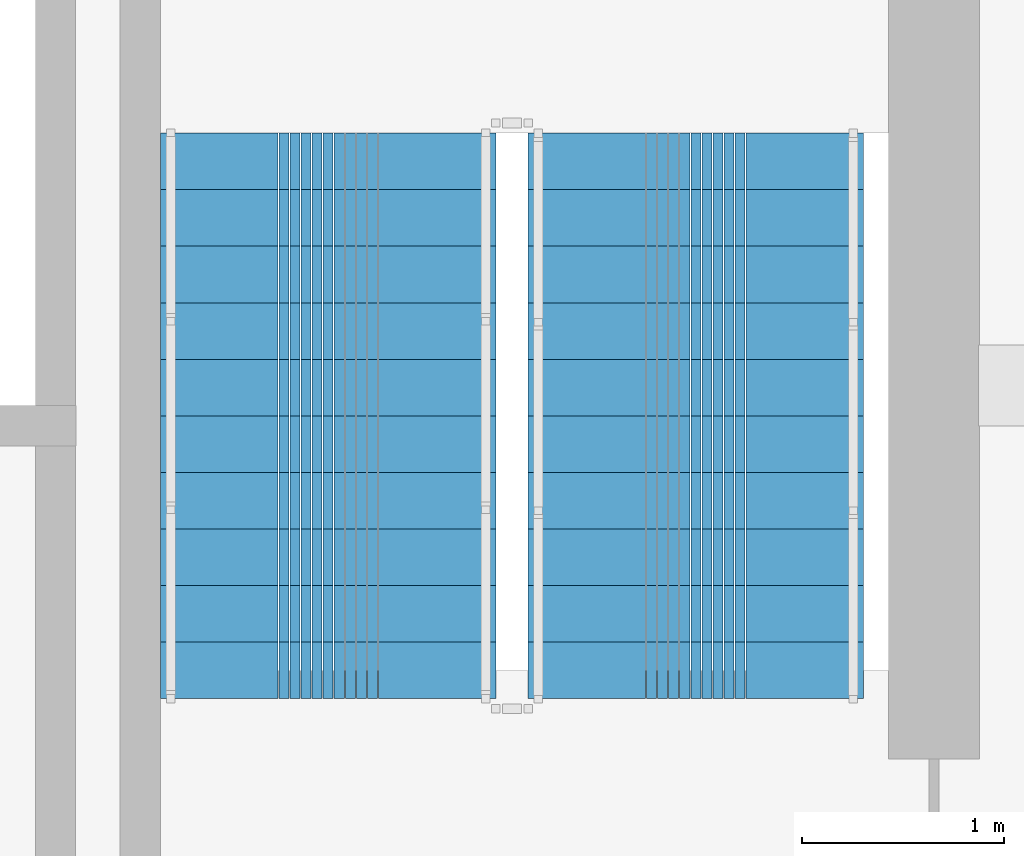
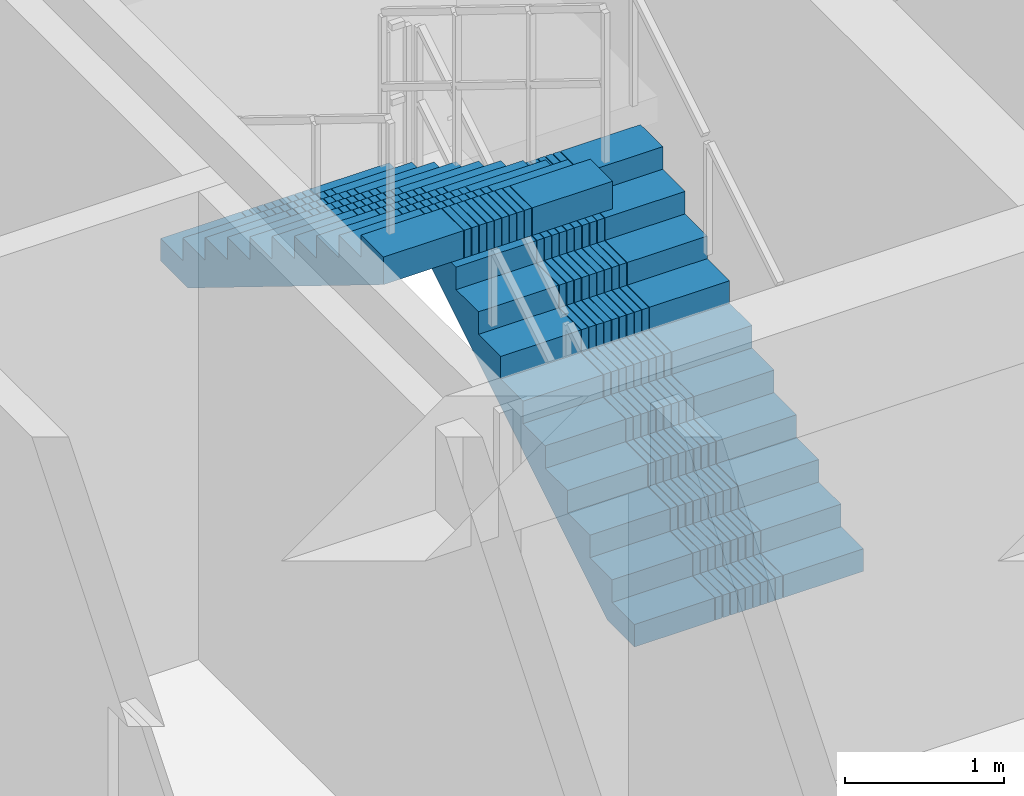
# One storey, part 23 of 25: 2 stair flights, 1 element without a shape of its own.
"""IFC4 building model written with IfcOpenShell, lengths in metres."""

from ifc_helpers import new_model, si_unit, direction, frame, origin, place, context, subcontext, project, spatial, polyline, outline, extrude, material, type_object, element, aggregate, save


model = new_model("IFC4")

# Units and contexts
model_context = context("Model", 3, precision=1e-05, world=origin(), true_north=direction((0.0, 1.0)))
body_context = subcontext(model_context, "Body", "Model", "MODEL_VIEW")
ifc_project = project(units=[si_unit("LENGTHUNIT", "METRE"), si_unit("AREAUNIT", "SQUARE_METRE"), si_unit("VOLUMEUNIT", "CUBIC_METRE"), si_unit("PLANEANGLEUNIT", "RADIAN"), si_unit("MASSUNIT", "GRAM", prefix="KILO")], contexts=[model_context])

# Site, building, storey
site_placement = place(None, origin())
site = spatial("IfcSite", under=ifc_project, at=site_placement, CompositionType="ELEMENT")
building_placement = place(site_placement, origin())
building = spatial("IfcBuilding", under=site, at=building_placement, Name="Saelheon Loggia Tower", CompositionType="ELEMENT")
storey_placement = place(building_placement, frame((0.0, 0.0, 206.5)))
storey = spatial("IfcBuildingStorey", under=building, at=storey_placement, Name="L64", CompositionType="ELEMENT", Elevation=206.5)

# Stair, stair flights
ifc_material = material(Name="Concrete C40/50", Category="concrete")
stair_type = type_object("IfcStairType", Name="Stair_Escape_Core", PredefinedType="HALF_TURN_STAIR", material=ifc_material)
stair_placement = place(storey_placement, origin())
stair = element("IfcStair", 1, at=stair_placement, inside=storey, type_object=stair_type, Name="L64 Special Escape Stair ST2", PredefinedType="HALF_TURN_STAIR")
stair_flight_type = type_object("IfcStairFlightType", Name="StairFlight_Tower_1660", PredefinedType="STRAIGHT", material=ifc_material)
stair_flight_1_placement = place(storey_placement, frame((43.320068359375, 30.449951171875, 0.0), z_axis=(0.0, 0.0, 1.0), x_axis=(0.0, 1.0, 0.0)))
stair_flight_1 = element("IfcStairFlight", 2, at=stair_flight_1_placement, type_object=stair_flight_type, Name="ST2 flight 1", NumberOfRisers=11, NumberOfTreads=10, PredefinedType="STRAIGHT", RiserHeight=0.172727273, TreadLength=0.28, context=body_context, shape_type="SweptSolid", body=[
    extrude(outline(polyline([(0.0, 0.0), (0.0, 0.172607421875), (0.280029296875, 0.172607421875), (0.280029296875, 0.345458984375), (0.56005859375, 0.345458984375), (0.56005859375, 0.51806640625), (0.840087890625, 0.51806640625), (0.840087890625, 0.69091796875), (1.1201171875, 0.69091796875), (1.1201171875, 0.863525390625), (1.39990234375, 0.863525390625), (1.39990234375, 1.036376953125), (1.679931640625, 1.036376953125), (1.679931640625, 1.208984375), (1.9599609375, 1.208984375), (1.9599609375, 1.3818359375), (2.239990234375, 1.3818359375), (2.239990234375, 1.554443359375), (2.52001953125, 1.554443359375), (2.52001953125, 1.727294921875), (2.800048828125, 1.727294921875), (2.800048828125, 1.89990234375), (2.800048828125, 1.515869140625), (0.3427734375, 0.0), (0.0, 0.0)])), frame((0.0, -0.2490234375, 0.0), z_axis=(0.0, -1.0, 0.0), x_axis=(1.0, 0.0, 0.0)), (0.0, 0.0, 1.0), 0.5810546875),
    extrude(outline(polyline([(0.0, 0.0), (0.0, 0.172607421875), (0.280029296875, 0.172607421875), (0.280029296875, 0.345458984375), (0.56005859375, 0.345458984375), (0.56005859375, 0.51806640625), (0.840087890625, 0.51806640625), (0.840087890625, 0.69091796875), (1.1201171875, 0.69091796875), (1.1201171875, 0.863525390625), (1.39990234375, 0.863525390625), (1.39990234375, 1.036376953125), (1.679931640625, 1.036376953125), (1.679931640625, 1.208984375), (1.9599609375, 1.208984375), (1.9599609375, 1.3818359375), (2.239990234375, 1.3818359375), (2.239990234375, 1.554443359375), (2.52001953125, 1.554443359375), (2.52001953125, 1.727294921875), (2.800048828125, 1.727294921875), (2.800048828125, 1.89990234375), (2.800048828125, 1.515869140625), (0.3427734375, 0.0), (0.0, 0.0)])), frame((0.0, -0.194091796875, 0.0), z_axis=(0.0, -1.0, 0.0), x_axis=(1.0, 0.0, 0.0)), (0.0, 0.0, 1.0), 0.0498046875),
    extrude(outline(polyline([(0.0, 0.0), (0.0, 0.172607421875), (0.280029296875, 0.172607421875), (0.280029296875, 0.345458984375), (0.56005859375, 0.345458984375), (0.56005859375, 0.51806640625), (0.840087890625, 0.51806640625), (0.840087890625, 0.69091796875), (1.1201171875, 0.69091796875), (1.1201171875, 0.863525390625), (1.39990234375, 0.863525390625), (1.39990234375, 1.036376953125), (1.679931640625, 1.036376953125), (1.679931640625, 1.208984375), (1.9599609375, 1.208984375), (1.9599609375, 1.3818359375), (2.239990234375, 1.3818359375), (2.239990234375, 1.554443359375), (2.52001953125, 1.554443359375), (2.52001953125, 1.727294921875), (2.800048828125, 1.727294921875), (2.800048828125, 1.89990234375), (2.800048828125, 1.515869140625), (0.3427734375, 0.0), (0.0, 0.0)])), frame((0.0, -0.139404296875, 0.0), z_axis=(0.0, -1.0, 0.0), x_axis=(1.0, 0.0, 0.0)), (0.0, 0.0, 1.0), 0.0498046875),
    extrude(outline(polyline([(0.0, 0.0), (0.0, 0.172607421875), (0.280029296875, 0.172607421875), (0.280029296875, 0.345458984375), (0.56005859375, 0.345458984375), (0.56005859375, 0.51806640625), (0.840087890625, 0.51806640625), (0.840087890625, 0.69091796875), (1.1201171875, 0.69091796875), (1.1201171875, 0.863525390625), (1.39990234375, 0.863525390625), (1.39990234375, 1.036376953125), (1.679931640625, 1.036376953125), (1.679931640625, 1.208984375), (1.9599609375, 1.208984375), (1.9599609375, 1.3818359375), (2.239990234375, 1.3818359375), (2.239990234375, 1.554443359375), (2.52001953125, 1.554443359375), (2.52001953125, 1.727294921875), (2.800048828125, 1.727294921875), (2.800048828125, 1.89990234375), (2.800048828125, 1.515869140625), (0.3427734375, 0.0), (0.0, 0.0)])), frame((0.0, -0.084716796875, 0.0), z_axis=(0.0, -1.0, 0.0), x_axis=(1.0, 0.0, 0.0)), (0.0, 0.0, 1.0), 0.0498046875),
    extrude(outline(polyline([(0.0, 0.0), (0.0, 0.172607421875), (0.280029296875, 0.172607421875), (0.280029296875, 0.345458984375), (0.56005859375, 0.345458984375), (0.56005859375, 0.51806640625), (0.840087890625, 0.51806640625), (0.840087890625, 0.69091796875), (1.1201171875, 0.69091796875), (1.1201171875, 0.863525390625), (1.39990234375, 0.863525390625), (1.39990234375, 1.036376953125), (1.679931640625, 1.036376953125), (1.679931640625, 1.208984375), (1.9599609375, 1.208984375), (1.9599609375, 1.3818359375), (2.239990234375, 1.3818359375), (2.239990234375, 1.554443359375), (2.52001953125, 1.554443359375), (2.52001953125, 1.727294921875), (2.800048828125, 1.727294921875), (2.800048828125, 1.89990234375), (2.800048828125, 1.515869140625), (0.3427734375, 0.0), (0.0, 0.0)])), frame((0.0, -0.02978515625, 0.0), z_axis=(0.0, -1.0, 0.0), x_axis=(1.0, 0.0, 0.0)), (0.0, 0.0, 1.0), 0.0498046875),
    extrude(outline(polyline([(0.0, 0.0), (0.0, 0.172607421875), (0.280029296875, 0.172607421875), (0.280029296875, 0.345458984375), (0.56005859375, 0.345458984375), (0.56005859375, 0.51806640625), (0.840087890625, 0.51806640625), (0.840087890625, 0.69091796875), (1.1201171875, 0.69091796875), (1.1201171875, 0.863525390625), (1.39990234375, 0.863525390625), (1.39990234375, 1.036376953125), (1.679931640625, 1.036376953125), (1.679931640625, 1.208984375), (1.9599609375, 1.208984375), (1.9599609375, 1.3818359375), (2.239990234375, 1.3818359375), (2.239990234375, 1.554443359375), (2.52001953125, 1.554443359375), (2.52001953125, 1.727294921875), (2.800048828125, 1.727294921875), (2.800048828125, 1.89990234375), (2.800048828125, 1.515869140625), (0.3427734375, 0.0), (0.0, 0.0)])), frame((0.0, 0.02490234375, 0.0), z_axis=(0.0, -1.0, 0.0), x_axis=(1.0, 0.0, 0.0)), (0.0, 0.0, 1.0), 0.0498046875),
    extrude(outline(polyline([(0.0, 0.0), (0.0, 0.172607421875), (0.280029296875, 0.172607421875), (0.280029296875, 0.345458984375), (0.56005859375, 0.345458984375), (0.56005859375, 0.51806640625), (0.840087890625, 0.51806640625), (0.840087890625, 0.69091796875), (1.1201171875, 0.69091796875), (1.1201171875, 0.863525390625), (1.39990234375, 0.863525390625), (1.39990234375, 1.036376953125), (1.679931640625, 1.036376953125), (1.679931640625, 1.208984375), (1.9599609375, 1.208984375), (1.9599609375, 1.3818359375), (2.239990234375, 1.3818359375), (2.239990234375, 1.554443359375), (2.52001953125, 1.554443359375), (2.52001953125, 1.727294921875), (2.800048828125, 1.727294921875), (2.800048828125, 1.89990234375), (2.800048828125, 1.515869140625), (0.3427734375, 0.0), (0.0, 0.0)])), frame((0.0, 0.07958984375, 0.0), z_axis=(0.0, -1.0, 0.0), x_axis=(1.0, 0.0, 0.0)), (0.0, 0.0, 1.0), 0.0498046875),
    extrude(outline(polyline([(0.0, 0.0), (0.0, 0.172607421875), (0.280029296875, 0.172607421875), (0.280029296875, 0.345458984375), (0.56005859375, 0.345458984375), (0.56005859375, 0.51806640625), (0.840087890625, 0.51806640625), (0.840087890625, 0.69091796875), (1.1201171875, 0.69091796875), (1.1201171875, 0.863525390625), (1.39990234375, 0.863525390625), (1.39990234375, 1.036376953125), (1.679931640625, 1.036376953125), (1.679931640625, 1.208984375), (1.9599609375, 1.208984375), (1.9599609375, 1.3818359375), (2.239990234375, 1.3818359375), (2.239990234375, 1.554443359375), (2.52001953125, 1.554443359375), (2.52001953125, 1.727294921875), (2.800048828125, 1.727294921875), (2.800048828125, 1.89990234375), (2.800048828125, 1.515869140625), (0.3427734375, 0.0), (0.0, 0.0)])), frame((0.0, 0.134521484375, 0.0), z_axis=(0.0, -1.0, 0.0), x_axis=(1.0, 0.0, 0.0)), (0.0, 0.0, 1.0), 0.0498046875),
    extrude(outline(polyline([(0.0, 0.0), (0.0, 0.172607421875), (0.280029296875, 0.172607421875), (0.280029296875, 0.345458984375), (0.56005859375, 0.345458984375), (0.56005859375, 0.51806640625), (0.840087890625, 0.51806640625), (0.840087890625, 0.69091796875), (1.1201171875, 0.69091796875), (1.1201171875, 0.863525390625), (1.39990234375, 0.863525390625), (1.39990234375, 1.036376953125), (1.679931640625, 1.036376953125), (1.679931640625, 1.208984375), (1.9599609375, 1.208984375), (1.9599609375, 1.3818359375), (2.239990234375, 1.3818359375), (2.239990234375, 1.554443359375), (2.52001953125, 1.554443359375), (2.52001953125, 1.727294921875), (2.800048828125, 1.727294921875), (2.800048828125, 1.89990234375), (2.800048828125, 1.515869140625), (0.3427734375, 0.0), (0.0, 0.0)])), frame((0.0, 0.189208984375, 0.0), z_axis=(0.0, -1.0, 0.0), x_axis=(1.0, 0.0, 0.0)), (0.0, 0.0, 1.0), 0.0498046875),
    extrude(outline(polyline([(0.0, 0.0), (0.0, 0.172607421875), (0.280029296875, 0.172607421875), (0.280029296875, 0.345458984375), (0.56005859375, 0.345458984375), (0.56005859375, 0.51806640625), (0.840087890625, 0.51806640625), (0.840087890625, 0.69091796875), (1.1201171875, 0.69091796875), (1.1201171875, 0.863525390625), (1.39990234375, 0.863525390625), (1.39990234375, 1.036376953125), (1.679931640625, 1.036376953125), (1.679931640625, 1.208984375), (1.9599609375, 1.208984375), (1.9599609375, 1.3818359375), (2.239990234375, 1.3818359375), (2.239990234375, 1.554443359375), (2.52001953125, 1.554443359375), (2.52001953125, 1.727294921875), (2.800048828125, 1.727294921875), (2.800048828125, 1.89990234375), (2.800048828125, 1.515869140625), (0.3427734375, 0.0), (0.0, 0.0)])), frame((0.0, 0.243896484375, 0.0), z_axis=(0.0, -1.0, 0.0), x_axis=(1.0, 0.0, 0.0)), (0.0, 0.0, 1.0), 0.0498046875),
    extrude(outline(polyline([(0.0, 0.0), (0.0, 0.172607421875), (0.280029296875, 0.172607421875), (0.280029296875, 0.345458984375), (0.56005859375, 0.345458984375), (0.56005859375, 0.51806640625), (0.840087890625, 0.51806640625), (0.840087890625, 0.69091796875), (1.1201171875, 0.69091796875), (1.1201171875, 0.863525390625), (1.39990234375, 0.863525390625), (1.39990234375, 1.036376953125), (1.679931640625, 1.036376953125), (1.679931640625, 1.208984375), (1.9599609375, 1.208984375), (1.9599609375, 1.3818359375), (2.239990234375, 1.3818359375), (2.239990234375, 1.554443359375), (2.52001953125, 1.554443359375), (2.52001953125, 1.727294921875), (2.800048828125, 1.727294921875), (2.800048828125, 1.89990234375), (2.800048828125, 1.515869140625), (0.3427734375, 0.0), (0.0, 0.0)])), frame((0.0, 0.830078125, 0.0), z_axis=(0.0, -1.0, 0.0), x_axis=(1.0, 0.0, 0.0)), (0.0, 0.0, 1.0), 0.5810546875),
])
stair_flight_2_placement = place(storey_placement, frame((41.5, 33.25, 1.89990234375), z_axis=(0.0, 0.0, 1.0), x_axis=(0.0, -1.0, 0.0)))
stair_flight_2 = element("IfcStairFlight", 3, at=stair_flight_2_placement, type_object=stair_flight_type, Name="ST2 flight 2", NumberOfRisers=11, NumberOfTreads=10, PredefinedType="STRAIGHT", RiserHeight=0.172727273, TreadLength=0.28, context=body_context, shape_type="SweptSolid", body=[
    extrude(outline(polyline([(0.0, 0.0), (0.0, 0.172607421875), (0.280029296875, 0.172607421875), (0.280029296875, 0.345458984375), (0.56005859375, 0.345458984375), (0.56005859375, 0.51806640625), (0.840087890625, 0.51806640625), (0.840087890625, 0.69091796875), (1.1201171875, 0.69091796875), (1.1201171875, 0.863525390625), (1.39990234375, 0.863525390625), (1.39990234375, 1.036376953125), (1.679931640625, 1.036376953125), (1.679931640625, 1.208984375), (1.9599609375, 1.208984375), (1.9599609375, 1.3818359375), (2.239990234375, 1.3818359375), (2.239990234375, 1.554443359375), (2.52001953125, 1.554443359375), (2.52001953125, 1.727294921875), (2.800048828125, 1.727294921875), (2.800048828125, 1.89990234375), (2.800048828125, 1.515869140625), (0.3427734375, 0.0), (0.0, 0.0)])), frame((0.0, -0.2490234375, 0.0), z_axis=(0.0, -1.0, 0.0), x_axis=(1.0, 0.0, 0.0)), (0.0, 0.0, 1.0), 0.5810546875),
    extrude(outline(polyline([(0.0, 0.0), (0.0, 0.172607421875), (0.280029296875, 0.172607421875), (0.280029296875, 0.345458984375), (0.56005859375, 0.345458984375), (0.56005859375, 0.51806640625), (0.840087890625, 0.51806640625), (0.840087890625, 0.69091796875), (1.1201171875, 0.69091796875), (1.1201171875, 0.863525390625), (1.39990234375, 0.863525390625), (1.39990234375, 1.036376953125), (1.679931640625, 1.036376953125), (1.679931640625, 1.208984375), (1.9599609375, 1.208984375), (1.9599609375, 1.3818359375), (2.239990234375, 1.3818359375), (2.239990234375, 1.554443359375), (2.52001953125, 1.554443359375), (2.52001953125, 1.727294921875), (2.800048828125, 1.727294921875), (2.800048828125, 1.89990234375), (2.800048828125, 1.515869140625), (0.3427734375, 0.0), (0.0, 0.0)])), frame((0.0, -0.194091796875, 0.0), z_axis=(0.0, -1.0, 0.0), x_axis=(1.0, 0.0, 0.0)), (0.0, 0.0, 1.0), 0.0498046875),
    extrude(outline(polyline([(0.0, 0.0), (0.0, 0.172607421875), (0.280029296875, 0.172607421875), (0.280029296875, 0.345458984375), (0.56005859375, 0.345458984375), (0.56005859375, 0.51806640625), (0.840087890625, 0.51806640625), (0.840087890625, 0.69091796875), (1.1201171875, 0.69091796875), (1.1201171875, 0.863525390625), (1.39990234375, 0.863525390625), (1.39990234375, 1.036376953125), (1.679931640625, 1.036376953125), (1.679931640625, 1.208984375), (1.9599609375, 1.208984375), (1.9599609375, 1.3818359375), (2.239990234375, 1.3818359375), (2.239990234375, 1.554443359375), (2.52001953125, 1.554443359375), (2.52001953125, 1.727294921875), (2.800048828125, 1.727294921875), (2.800048828125, 1.89990234375), (2.800048828125, 1.515869140625), (0.3427734375, 0.0), (0.0, 0.0)])), frame((0.0, -0.139404296875, 0.0), z_axis=(0.0, -1.0, 0.0), x_axis=(1.0, 0.0, 0.0)), (0.0, 0.0, 1.0), 0.0498046875),
    extrude(outline(polyline([(0.0, 0.0), (0.0, 0.172607421875), (0.280029296875, 0.172607421875), (0.280029296875, 0.345458984375), (0.56005859375, 0.345458984375), (0.56005859375, 0.51806640625), (0.840087890625, 0.51806640625), (0.840087890625, 0.69091796875), (1.1201171875, 0.69091796875), (1.1201171875, 0.863525390625), (1.39990234375, 0.863525390625), (1.39990234375, 1.036376953125), (1.679931640625, 1.036376953125), (1.679931640625, 1.208984375), (1.9599609375, 1.208984375), (1.9599609375, 1.3818359375), (2.239990234375, 1.3818359375), (2.239990234375, 1.554443359375), (2.52001953125, 1.554443359375), (2.52001953125, 1.727294921875), (2.800048828125, 1.727294921875), (2.800048828125, 1.89990234375), (2.800048828125, 1.515869140625), (0.3427734375, 0.0), (0.0, 0.0)])), frame((0.0, -0.084716796875, 0.0), z_axis=(0.0, -1.0, 0.0), x_axis=(1.0, 0.0, 0.0)), (0.0, 0.0, 1.0), 0.0498046875),
    extrude(outline(polyline([(0.0, 0.0), (0.0, 0.172607421875), (0.280029296875, 0.172607421875), (0.280029296875, 0.345458984375), (0.56005859375, 0.345458984375), (0.56005859375, 0.51806640625), (0.840087890625, 0.51806640625), (0.840087890625, 0.69091796875), (1.1201171875, 0.69091796875), (1.1201171875, 0.863525390625), (1.39990234375, 0.863525390625), (1.39990234375, 1.036376953125), (1.679931640625, 1.036376953125), (1.679931640625, 1.208984375), (1.9599609375, 1.208984375), (1.9599609375, 1.3818359375), (2.239990234375, 1.3818359375), (2.239990234375, 1.554443359375), (2.52001953125, 1.554443359375), (2.52001953125, 1.727294921875), (2.800048828125, 1.727294921875), (2.800048828125, 1.89990234375), (2.800048828125, 1.515869140625), (0.3427734375, 0.0), (0.0, 0.0)])), frame((0.0, -0.02978515625, 0.0), z_axis=(0.0, -1.0, 0.0), x_axis=(1.0, 0.0, 0.0)), (0.0, 0.0, 1.0), 0.0498046875),
    extrude(outline(polyline([(0.0, 0.0), (0.0, 0.172607421875), (0.280029296875, 0.172607421875), (0.280029296875, 0.345458984375), (0.56005859375, 0.345458984375), (0.56005859375, 0.51806640625), (0.840087890625, 0.51806640625), (0.840087890625, 0.69091796875), (1.1201171875, 0.69091796875), (1.1201171875, 0.863525390625), (1.39990234375, 0.863525390625), (1.39990234375, 1.036376953125), (1.679931640625, 1.036376953125), (1.679931640625, 1.208984375), (1.9599609375, 1.208984375), (1.9599609375, 1.3818359375), (2.239990234375, 1.3818359375), (2.239990234375, 1.554443359375), (2.52001953125, 1.554443359375), (2.52001953125, 1.727294921875), (2.800048828125, 1.727294921875), (2.800048828125, 1.89990234375), (2.800048828125, 1.515869140625), (0.3427734375, 0.0), (0.0, 0.0)])), frame((0.0, 0.02490234375, 0.0), z_axis=(0.0, -1.0, 0.0), x_axis=(1.0, 0.0, 0.0)), (0.0, 0.0, 1.0), 0.0498046875),
    extrude(outline(polyline([(0.0, 0.0), (0.0, 0.172607421875), (0.280029296875, 0.172607421875), (0.280029296875, 0.345458984375), (0.56005859375, 0.345458984375), (0.56005859375, 0.51806640625), (0.840087890625, 0.51806640625), (0.840087890625, 0.69091796875), (1.1201171875, 0.69091796875), (1.1201171875, 0.863525390625), (1.39990234375, 0.863525390625), (1.39990234375, 1.036376953125), (1.679931640625, 1.036376953125), (1.679931640625, 1.208984375), (1.9599609375, 1.208984375), (1.9599609375, 1.3818359375), (2.239990234375, 1.3818359375), (2.239990234375, 1.554443359375), (2.52001953125, 1.554443359375), (2.52001953125, 1.727294921875), (2.800048828125, 1.727294921875), (2.800048828125, 1.89990234375), (2.800048828125, 1.515869140625), (0.3427734375, 0.0), (0.0, 0.0)])), frame((0.0, 0.07958984375, 0.0), z_axis=(0.0, -1.0, 0.0), x_axis=(1.0, 0.0, 0.0)), (0.0, 0.0, 1.0), 0.0498046875),
    extrude(outline(polyline([(0.0, 0.0), (0.0, 0.172607421875), (0.280029296875, 0.172607421875), (0.280029296875, 0.345458984375), (0.56005859375, 0.345458984375), (0.56005859375, 0.51806640625), (0.840087890625, 0.51806640625), (0.840087890625, 0.69091796875), (1.1201171875, 0.69091796875), (1.1201171875, 0.863525390625), (1.39990234375, 0.863525390625), (1.39990234375, 1.036376953125), (1.679931640625, 1.036376953125), (1.679931640625, 1.208984375), (1.9599609375, 1.208984375), (1.9599609375, 1.3818359375), (2.239990234375, 1.3818359375), (2.239990234375, 1.554443359375), (2.52001953125, 1.554443359375), (2.52001953125, 1.727294921875), (2.800048828125, 1.727294921875), (2.800048828125, 1.89990234375), (2.800048828125, 1.515869140625), (0.3427734375, 0.0), (0.0, 0.0)])), frame((0.0, 0.134521484375, 0.0), z_axis=(0.0, -1.0, 0.0), x_axis=(1.0, 0.0, 0.0)), (0.0, 0.0, 1.0), 0.0498046875),
    extrude(outline(polyline([(0.0, 0.0), (0.0, 0.172607421875), (0.280029296875, 0.172607421875), (0.280029296875, 0.345458984375), (0.56005859375, 0.345458984375), (0.56005859375, 0.51806640625), (0.840087890625, 0.51806640625), (0.840087890625, 0.69091796875), (1.1201171875, 0.69091796875), (1.1201171875, 0.863525390625), (1.39990234375, 0.863525390625), (1.39990234375, 1.036376953125), (1.679931640625, 1.036376953125), (1.679931640625, 1.208984375), (1.9599609375, 1.208984375), (1.9599609375, 1.3818359375), (2.239990234375, 1.3818359375), (2.239990234375, 1.554443359375), (2.52001953125, 1.554443359375), (2.52001953125, 1.727294921875), (2.800048828125, 1.727294921875), (2.800048828125, 1.89990234375), (2.800048828125, 1.515869140625), (0.3427734375, 0.0), (0.0, 0.0)])), frame((0.0, 0.189208984375, 0.0), z_axis=(0.0, -1.0, 0.0), x_axis=(1.0, 0.0, 0.0)), (0.0, 0.0, 1.0), 0.0498046875),
    extrude(outline(polyline([(0.0, 0.0), (0.0, 0.172607421875), (0.280029296875, 0.172607421875), (0.280029296875, 0.345458984375), (0.56005859375, 0.345458984375), (0.56005859375, 0.51806640625), (0.840087890625, 0.51806640625), (0.840087890625, 0.69091796875), (1.1201171875, 0.69091796875), (1.1201171875, 0.863525390625), (1.39990234375, 0.863525390625), (1.39990234375, 1.036376953125), (1.679931640625, 1.036376953125), (1.679931640625, 1.208984375), (1.9599609375, 1.208984375), (1.9599609375, 1.3818359375), (2.239990234375, 1.3818359375), (2.239990234375, 1.554443359375), (2.52001953125, 1.554443359375), (2.52001953125, 1.727294921875), (2.800048828125, 1.727294921875), (2.800048828125, 1.89990234375), (2.800048828125, 1.515869140625), (0.3427734375, 0.0), (0.0, 0.0)])), frame((0.0, 0.243896484375, 0.0), z_axis=(0.0, -1.0, 0.0), x_axis=(1.0, 0.0, 0.0)), (0.0, 0.0, 1.0), 0.0498046875),
    extrude(outline(polyline([(0.0, 0.0), (0.0, 0.172607421875), (0.280029296875, 0.172607421875), (0.280029296875, 0.345458984375), (0.56005859375, 0.345458984375), (0.56005859375, 0.51806640625), (0.840087890625, 0.51806640625), (0.840087890625, 0.69091796875), (1.1201171875, 0.69091796875), (1.1201171875, 0.863525390625), (1.39990234375, 0.863525390625), (1.39990234375, 1.036376953125), (1.679931640625, 1.036376953125), (1.679931640625, 1.208984375), (1.9599609375, 1.208984375), (1.9599609375, 1.3818359375), (2.239990234375, 1.3818359375), (2.239990234375, 1.554443359375), (2.52001953125, 1.554443359375), (2.52001953125, 1.727294921875), (2.800048828125, 1.727294921875), (2.800048828125, 1.89990234375), (2.800048828125, 1.515869140625), (0.3427734375, 0.0), (0.0, 0.0)])), frame((0.0, 0.830078125, 0.0), z_axis=(0.0, -1.0, 0.0), x_axis=(1.0, 0.0, 0.0)), (0.0, 0.0, 1.0), 0.5810546875),
])
aggregate(stair, [stair_flight_1, stair_flight_2])

save(model, "model.ifc")
